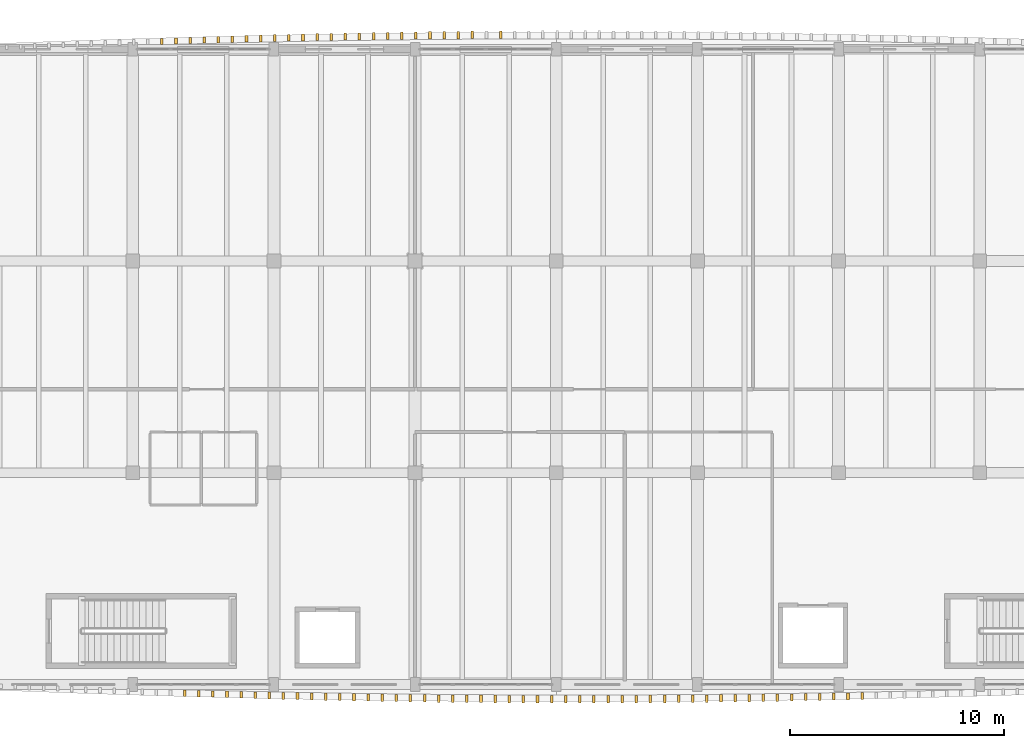
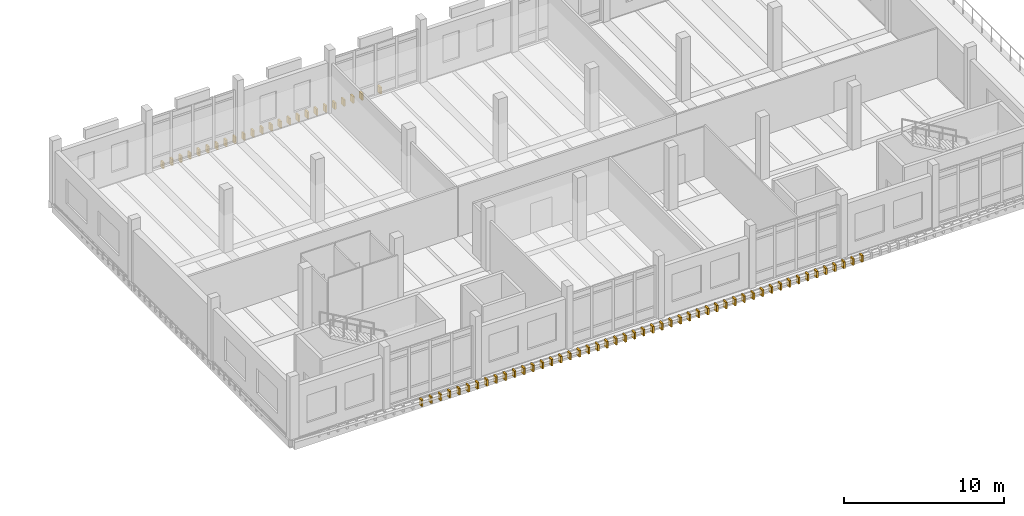
# One storey, part 38 of 39: 73 coverings.
"""IFC4 building model written with IfcOpenShell, lengths in metres."""

from ifc_helpers import new_model, si_unit, direction, frame, origin, origin_2d, place, context, subcontext, project, spatial, rectangle, extrude, material, layer, layer_set, type_object, element, save


model = new_model("IFC4")

# Units and contexts
model_context = context("Model", 3, precision=1e-05, world=origin(), true_north=direction((0.0, 1.0)))
body_context = subcontext(model_context, "Body", "Model", "MODEL_VIEW")
ifc_project = project(units=[si_unit("LENGTHUNIT", "METRE"), si_unit("AREAUNIT", "SQUARE_METRE"), si_unit("VOLUMEUNIT", "CUBIC_METRE"), si_unit("PLANEANGLEUNIT", "RADIAN"), si_unit("MASSUNIT", "GRAM", prefix="KILO")], contexts=[model_context])

# Site, building, storey
site_placement = place(None, origin())
site = spatial("IfcSite", under=ifc_project, at=site_placement, CompositionType="ELEMENT")
building_placement = place(site_placement, origin())
building = spatial("IfcBuilding", under=site, at=building_placement, Name="Dornvale Research Institute", CompositionType="ELEMENT")
storey_placement = place(building_placement, frame((0.0, 0.0, 24.60009765625)))
storey = spatial("IfcBuildingStorey", under=building, at=storey_placement, Name="L05", CompositionType="ELEMENT", Elevation=24.60009765625)

# Coverings
ifc_material = material(Name="Polychrome Glazed Terracotta Visor Rib Ceramic", Category="masonry")
ifc_layer = layer(ifc_material, 0.1201171875)
ifc_layer_set = layer_set([ifc_layer], Name="Polychrome Glazed Terracotta Visor Rib Ceramic")
covering_type = type_object("IfcCoveringType", Name="Covering_VisorBlade_Low", PredefinedType="CLADDING", material=ifc_layer_set)
covering_1_placement = place(storey_placement, frame((127.82470703125, 91.992919921875, -0.489990234375), z_axis=(0.0, 0.0, 1.0), x_axis=(0.0, 1.0, 0.0)))
element("IfcCovering", 1, at=covering_1_placement, inside=storey, type_object=covering_type, Name="L05 V4 canted glazed terracotta visor blade #2824", PredefinedType="CLADDING", context=body_context, shape_type="SweptSolid", body=[
    extrude(rectangle(XDim=0.2880859375, YDim=0.1201171875, at=origin_2d()), origin(), (0.0, 0.0, 1.0), 0.5),
])
covering_2_placement = place(storey_placement, frame((128.484619140625, 91.97265625, -0.489990234375), z_axis=(0.0, 0.0, 1.0), x_axis=(0.0, 1.0, 0.0)))
element("IfcCovering", 2, at=covering_2_placement, inside=storey, type_object=covering_type, Name="L05 V4 canted glazed terracotta visor blade #2825", PredefinedType="CLADDING", context=body_context, shape_type="SweptSolid", body=[
    extrude(rectangle(XDim=0.29296875, YDim=0.1201171875, at=origin_2d()), origin(), (0.0, 0.0, 1.0), 0.5),
])
covering_3_placement = place(storey_placement, frame((129.144287109375, 91.95361328125, -0.489990234375), z_axis=(0.0, 0.0, 1.0), x_axis=(0.0, 1.0, 0.0)))
element("IfcCovering", 3, at=covering_3_placement, inside=storey, type_object=covering_type, Name="L05 V4 canted glazed terracotta visor blade #2826", PredefinedType="CLADDING", context=body_context, shape_type="SweptSolid", body=[
    extrude(rectangle(XDim=0.298095703125, YDim=0.1201171875, at=origin_2d()), origin(), (0.0, 0.0, 1.0), 0.5),
])
covering_4_placement = place(storey_placement, frame((129.80419921875, 91.934814453125, -0.489990234375), z_axis=(0.0, 0.0, 1.0), x_axis=(0.0, 1.0, 0.0)))
element("IfcCovering", 4, at=covering_4_placement, inside=storey, type_object=covering_type, Name="L05 V4 canted glazed terracotta visor blade #2827", PredefinedType="CLADDING", context=body_context, shape_type="SweptSolid", body=[
    extrude(rectangle(XDim=0.302978515625, YDim=0.1201171875, at=origin_2d()), origin(), (0.0, 0.0, 1.0), 0.5),
])
covering_5_placement = place(storey_placement, frame((130.464111328125, 91.91650390625, -0.489990234375), z_axis=(0.0, 0.0, 1.0), x_axis=(0.0, 1.0, 0.0)))
element("IfcCovering", 5, at=covering_5_placement, inside=storey, type_object=covering_type, Name="L05 V4 canted glazed terracotta visor blade #2828", PredefinedType="CLADDING", context=body_context, shape_type="SweptSolid", body=[
    extrude(rectangle(XDim=0.30810546875, YDim=0.1201171875, at=origin_2d()), origin(), (0.0, 0.0, 1.0), 0.5),
])
covering_6_placement = place(storey_placement, frame((131.123779296875, 91.89990234375, -0.489990234375), z_axis=(0.0, 0.0, 1.0), x_axis=(0.0, 1.0, 0.0)))
element("IfcCovering", 6, at=covering_6_placement, inside=storey, type_object=covering_type, Name="L05 V4 canted glazed terracotta visor blade #2829", PredefinedType="CLADDING", context=body_context, shape_type="SweptSolid", body=[
    extrude(rectangle(XDim=0.31201171875, YDim=0.1201171875, at=origin_2d()), origin(), (0.0, 0.0, 1.0), 0.5),
])
covering_7_placement = place(storey_placement, frame((131.78369140625, 91.883544921875, -0.489990234375), z_axis=(0.0, 0.0, 1.0), x_axis=(0.0, 1.0, 0.0)))
element("IfcCovering", 7, at=covering_7_placement, inside=storey, type_object=covering_type, Name="L05 V4 canted glazed terracotta visor blade #2830", PredefinedType="CLADDING", context=body_context, shape_type="SweptSolid", body=[
    extrude(rectangle(XDim=0.31591796875, YDim=0.1201171875, at=origin_2d()), origin(), (0.0, 0.0, 1.0), 0.5),
])
covering_8_placement = place(storey_placement, frame((132.443603515625, 91.867919921875, -0.489990234375), z_axis=(0.0, 0.0, 1.0), x_axis=(0.0, 1.0, 0.0)))
element("IfcCovering", 8, at=covering_8_placement, inside=storey, type_object=covering_type, Name="L05 V4 canted glazed terracotta visor blade #2831", PredefinedType="CLADDING", context=body_context, shape_type="SweptSolid", body=[
    extrude(rectangle(XDim=0.320068359375, YDim=0.1201171875, at=origin_2d()), origin(), (0.0, 0.0, 1.0), 0.5),
])
covering_9_placement = place(storey_placement, frame((133.103515625, 91.85302734375, -0.489990234375), z_axis=(0.0, 0.0, 1.0), x_axis=(0.0, 1.0, 0.0)))
element("IfcCovering", 9, at=covering_9_placement, inside=storey, type_object=covering_type, Name="L05 V4 canted glazed terracotta visor blade #2832", PredefinedType="CLADDING", context=body_context, shape_type="SweptSolid", body=[
    extrude(rectangle(XDim=0.323974609375, YDim=0.1201171875, at=origin_2d()), origin(), (0.0, 0.0, 1.0), 0.5),
])
covering_10_placement = place(storey_placement, frame((133.76318359375, 91.8388671875, -0.489990234375), z_axis=(0.0, 0.0, 1.0), x_axis=(0.0, 1.0, 0.0)))
element("IfcCovering", 10, at=covering_10_placement, inside=storey, type_object=covering_type, Name="L05 V4 canted glazed terracotta visor blade #2833", PredefinedType="CLADDING", context=body_context, shape_type="SweptSolid", body=[
    extrude(rectangle(XDim=0.326904296875, YDim=0.1201171875, at=origin_2d()), origin(), (0.0, 0.0, 1.0), 0.5),
])
covering_11_placement = place(storey_placement, frame((134.423095703125, 91.82568359375, -0.489990234375), z_axis=(0.0, 0.0, 1.0), x_axis=(0.0, 1.0, 0.0)))
element("IfcCovering", 11, at=covering_11_placement, inside=storey, type_object=covering_type, Name="L05 V4 canted glazed terracotta visor blade #2834", PredefinedType="CLADDING", context=body_context, shape_type="SweptSolid", body=[
    extrude(rectangle(XDim=0.3310546875, YDim=0.1201171875, at=origin_2d()), origin(), (0.0, 0.0, 1.0), 0.5),
])
covering_12_placement = place(storey_placement, frame((135.0830078125, 91.81298828125, -0.489990234375), z_axis=(0.0, 0.0, 1.0), x_axis=(0.0, 1.0, 0.0)))
element("IfcCovering", 12, at=covering_12_placement, inside=storey, type_object=covering_type, Name="L05 V4 canted glazed terracotta visor blade #2835", PredefinedType="CLADDING", context=body_context, shape_type="SweptSolid", body=[
    extrude(rectangle(XDim=0.333984375, YDim=0.1201171875, at=origin_2d()), origin(), (0.0, 0.0, 1.0), 0.5),
])
covering_13_placement = place(storey_placement, frame((135.742919921875, 91.801025390625, -0.489990234375), z_axis=(0.0, 0.0, 1.0), x_axis=(0.0, 1.0, 0.0)))
element("IfcCovering", 13, at=covering_13_placement, inside=storey, type_object=covering_type, Name="L05 V4 canted glazed terracotta visor blade #2836", PredefinedType="CLADDING", context=body_context, shape_type="SweptSolid", body=[
    extrude(rectangle(XDim=0.3369140625, YDim=0.1201171875, at=origin_2d()), origin(), (0.0, 0.0, 1.0), 0.5),
])
covering_14_placement = place(storey_placement, frame((136.403076171875, 91.789794921875, -0.489990234375), z_axis=(0.0, 0.0, 1.0), x_axis=(0.0, 1.0, 0.0)))
element("IfcCovering", 14, at=covering_14_placement, inside=storey, type_object=covering_type, Name="L05 V4 canted glazed terracotta visor blade #2837", PredefinedType="CLADDING", context=body_context, shape_type="SweptSolid", body=[
    extrude(rectangle(XDim=0.340087890625, YDim=0.1201171875, at=origin_2d()), origin(), (0.0, 0.0, 1.0), 0.5),
])
covering_15_placement = place(storey_placement, frame((137.06298828125, 91.779296875, -0.489990234375), z_axis=(0.0, 0.0, 1.0), x_axis=(0.0, 1.0, 0.0)))
element("IfcCovering", 15, at=covering_15_placement, inside=storey, type_object=covering_type, Name="L05 V4 canted glazed terracotta visor blade #2838", PredefinedType="CLADDING", context=body_context, shape_type="SweptSolid", body=[
    extrude(rectangle(XDim=0.342041015625, YDim=0.1201171875, at=origin_2d()), origin(), (0.0, 0.0, 1.0), 0.5),
])
covering_16_placement = place(storey_placement, frame((137.722900390625, 91.769775390625, -0.489990234375), z_axis=(0.0, 0.0, 1.0), x_axis=(0.0, 1.0, 0.0)))
element("IfcCovering", 16, at=covering_16_placement, inside=storey, type_object=covering_type, Name="L05 V4 canted glazed terracotta visor blade #2839", PredefinedType="CLADDING", context=body_context, shape_type="SweptSolid", body=[
    extrude(rectangle(XDim=0.344970703125, YDim=0.1201171875, at=origin_2d()), origin(), (0.0, 0.0, 1.0), 0.5),
])
covering_17_placement = place(storey_placement, frame((138.3828125, 91.7607421875, -0.489990234375), z_axis=(0.0, 0.0, 1.0), x_axis=(0.0, 1.0, 0.0)))
element("IfcCovering", 17, at=covering_17_placement, inside=storey, type_object=covering_type, Name="L05 V4 canted glazed terracotta visor blade #2840", PredefinedType="CLADDING", context=body_context, shape_type="SweptSolid", body=[
    extrude(rectangle(XDim=0.346923828125, YDim=0.1201171875, at=origin_2d()), origin(), (0.0, 0.0, 1.0), 0.5),
])
covering_18_placement = place(storey_placement, frame((139.042724609375, 91.752685546875, -0.489990234375), z_axis=(0.0, 0.0, 1.0), x_axis=(0.0, 1.0, 0.0)))
element("IfcCovering", 18, at=covering_18_placement, inside=storey, type_object=covering_type, Name="L05 V4 canted glazed terracotta visor blade #2841", PredefinedType="CLADDING", context=body_context, shape_type="SweptSolid", body=[
    extrude(rectangle(XDim=0.34912109375, YDim=0.1201171875, at=origin_2d()), origin(), (0.0, 0.0, 1.0), 0.5),
])
covering_19_placement = place(storey_placement, frame((139.70263671875, 91.7451171875, -0.489990234375), z_axis=(0.0, 0.0, 1.0), x_axis=(0.0, 1.0, 0.0)))
element("IfcCovering", 19, at=covering_19_placement, inside=storey, type_object=covering_type, Name="L05 V4 canted glazed terracotta visor blade #2842", PredefinedType="CLADDING", context=body_context, shape_type="SweptSolid", body=[
    extrude(rectangle(XDim=0.35107421875, YDim=0.1201171875, at=origin_2d()), origin(), (0.0, 0.0, 1.0), 0.5),
])
covering_20_placement = place(storey_placement, frame((140.36279296875, 91.73779296875, -0.489990234375), z_axis=(0.0, 0.0, 1.0), x_axis=(0.0, 1.0, 0.0)))
element("IfcCovering", 20, at=covering_20_placement, inside=storey, type_object=covering_type, Name="L05 V4 canted glazed terracotta visor blade #2843", PredefinedType="CLADDING", context=body_context, shape_type="SweptSolid", body=[
    extrude(rectangle(XDim=0.35302734375, YDim=0.1201171875, at=origin_2d()), origin(), (0.0, 0.0, 1.0), 0.5),
])
covering_21_placement = place(storey_placement, frame((141.022705078125, 91.732421875, -0.489990234375), z_axis=(0.0, 0.0, 1.0), x_axis=(0.0, 1.0, 0.0)))
element("IfcCovering", 21, at=covering_21_placement, inside=storey, type_object=covering_type, Name="L05 V4 canted glazed terracotta visor blade #2844", PredefinedType="CLADDING", context=body_context, shape_type="SweptSolid", body=[
    extrude(rectangle(XDim=0.35400390625, YDim=0.1201171875, at=origin_2d()), origin(), (0.0, 0.0, 1.0), 0.5),
])
covering_22_placement = place(storey_placement, frame((141.6826171875, 91.726806640625, -0.489990234375), z_axis=(0.0, 0.0, 1.0), x_axis=(0.0, 1.0, 0.0)))
element("IfcCovering", 22, at=covering_22_placement, inside=storey, type_object=covering_type, Name="L05 V4 canted glazed terracotta visor blade #2845", PredefinedType="CLADDING", context=body_context, shape_type="SweptSolid", body=[
    extrude(rectangle(XDim=0.35595703125, YDim=0.1201171875, at=origin_2d()), origin(), (0.0, 0.0, 1.0), 0.5),
])
covering_23_placement = place(storey_placement, frame((142.342529296875, 91.72216796875, -0.489990234375), z_axis=(0.0, 0.0, 1.0), x_axis=(0.0, 1.0, 0.0)))
element("IfcCovering", 23, at=covering_23_placement, inside=storey, type_object=covering_type, Name="L05 V4 canted glazed terracotta visor blade #2846", PredefinedType="CLADDING", context=body_context, shape_type="SweptSolid", body=[
    extrude(rectangle(XDim=0.35693359375, YDim=0.1201171875, at=origin_2d()), origin(), (0.0, 0.0, 1.0), 0.5),
])
covering_24_placement = place(storey_placement, frame((143.002685546875, 91.718505859375, -0.489990234375), z_axis=(0.0, 0.0, 1.0), x_axis=(0.0, 1.0, 0.0)))
element("IfcCovering", 24, at=covering_24_placement, inside=storey, type_object=covering_type, Name="L05 V4 canted glazed terracotta visor blade #2847", PredefinedType="CLADDING", context=body_context, shape_type="SweptSolid", body=[
    extrude(rectangle(XDim=0.35791015625, YDim=0.1201171875, at=origin_2d()), origin(), (0.0, 0.0, 1.0), 0.5),
])
for number, where, z_axis, x_axis, name in (
    (25, (143.66259765625, 91.71484375, -0.489990234375), (0.0, 0.0, 1.0), (0.0, 1.0, 0.0), "L05 V4 canted glazed terracotta visor blade #2848"),
    (26, (144.322509765625, 91.71337890625, -0.489990234375), (0.0, 0.0, 1.0), (0.0, 1.0, 0.0), "L05 V4 canted glazed terracotta visor blade #2849"),
):
    element("IfcCovering", number, at=place(storey_placement, frame(where, z_axis=z_axis, x_axis=x_axis)), inside=storey, type_object=covering_type, Name=name, PredefinedType="CLADDING", context=body_context, shape_type="SweptSolid", body=[
        extrude(rectangle(XDim=0.35888671875, YDim=0.1201171875, at=origin_2d()), origin(), (0.0, 0.0, 1.0), 0.5),
    ])
for number, where, z_axis, x_axis, name in (
    (27, (144.982666015625, 91.711181640625, -0.489990234375), (0.0, 0.0, 1.0), (0.0, 1.0, 0.0), "L05 V4 canted glazed terracotta visor blade #2850"),
    (28, (145.642578125, 91.71044921875, -0.489990234375), (0.0, 0.0, 1.0), (0.0, 1.0, 0.0), "L05 V4 canted glazed terracotta visor blade #2851"),
    (29, (146.302490234375, 91.71044921875, -0.489990234375), (0.0, 0.0, 1.0), (0.0, 1.0, 0.0), "L05 V4 canted glazed terracotta visor blade #2852"),
    (30, (146.962646484375, 91.710693359375, -0.489990234375), (0.0, 0.0, 1.0), (0.0, 1.0, 0.0), "L05 V4 canted glazed terracotta visor blade #2853"),
    (31, (147.62255859375, 91.712158203125, -0.489990234375), (0.0, 0.0, 1.0), (0.0, 1.0, 0.0), "L05 V4 canted glazed terracotta visor blade #2854"),
):
    element("IfcCovering", number, at=place(storey_placement, frame(where, z_axis=z_axis, x_axis=x_axis)), inside=storey, type_object=covering_type, Name=name, PredefinedType="CLADDING", context=body_context, shape_type="SweptSolid", body=[
        extrude(rectangle(XDim=0.360107421875, YDim=0.1201171875, at=origin_2d()), origin(), (0.0, 0.0, 1.0), 0.5),
    ])
covering_25_placement = place(storey_placement, frame((148.28271484375, 91.71435546875, -0.489990234375), z_axis=(0.0, 0.0, 1.0), x_axis=(0.0, 1.0, 0.0)))
element("IfcCovering", 32, at=covering_25_placement, inside=storey, type_object=covering_type, Name="L05 V4 canted glazed terracotta visor blade #2855", PredefinedType="CLADDING", context=body_context, shape_type="SweptSolid", body=[
    extrude(rectangle(XDim=0.35888671875, YDim=0.1201171875, at=origin_2d()), origin(), (0.0, 0.0, 1.0), 0.5),
])
covering_26_placement = place(storey_placement, frame((148.942626953125, 91.71728515625, -0.489990234375), z_axis=(0.0, 0.0, 1.0), x_axis=(0.0, 1.0, 0.0)))
element("IfcCovering", 33, at=covering_26_placement, inside=storey, type_object=covering_type, Name="L05 V4 canted glazed terracotta visor blade #2856", PredefinedType="CLADDING", context=body_context, shape_type="SweptSolid", body=[
    extrude(rectangle(XDim=0.35791015625, YDim=0.1201171875, at=origin_2d()), origin(), (0.0, 0.0, 1.0), 0.5),
])
covering_27_placement = place(storey_placement, frame((149.6025390625, 91.720947265625, -0.489990234375), z_axis=(0.0, 0.0, 1.0), x_axis=(0.0, 1.0, 0.0)))
element("IfcCovering", 34, at=covering_27_placement, inside=storey, type_object=covering_type, Name="L05 V4 canted glazed terracotta visor blade #2857", PredefinedType="CLADDING", context=body_context, shape_type="SweptSolid", body=[
    extrude(rectangle(XDim=0.35693359375, YDim=0.1201171875, at=origin_2d()), origin(), (0.0, 0.0, 1.0), 0.5),
])
covering_28_placement = place(storey_placement, frame((150.2626953125, 91.724853515625, -0.489990234375), z_axis=(0.0, 0.0, 1.0), x_axis=(0.0, 1.0, 0.0)))
element("IfcCovering", 35, at=covering_28_placement, inside=storey, type_object=covering_type, Name="L05 V4 canted glazed terracotta visor blade #2858", PredefinedType="CLADDING", context=body_context, shape_type="SweptSolid", body=[
    extrude(rectangle(XDim=0.35595703125, YDim=0.1201171875, at=origin_2d()), origin(), (0.0, 0.0, 1.0), 0.5),
])
covering_29_placement = place(storey_placement, frame((150.922607421875, 91.72998046875, -0.489990234375), z_axis=(0.0, 0.0, 1.0), x_axis=(0.0, 1.0, 0.0)))
element("IfcCovering", 36, at=covering_29_placement, inside=storey, type_object=covering_type, Name="L05 V4 canted glazed terracotta visor blade #2859", PredefinedType="CLADDING", context=body_context, shape_type="SweptSolid", body=[
    extrude(rectangle(XDim=0.35498046875, YDim=0.1201171875, at=origin_2d()), origin(), (0.0, 0.0, 1.0), 0.5),
])
covering_30_placement = place(storey_placement, frame((151.58251953125, 91.7353515625, -0.489990234375), z_axis=(0.0, 0.0, 1.0), x_axis=(0.0, 1.0, 0.0)))
element("IfcCovering", 37, at=covering_30_placement, inside=storey, type_object=covering_type, Name="L05 V4 canted glazed terracotta visor blade #2860", PredefinedType="CLADDING", context=body_context, shape_type="SweptSolid", body=[
    extrude(rectangle(XDim=0.35400390625, YDim=0.1201171875, at=origin_2d()), origin(), (0.0, 0.0, 1.0), 0.5),
])
covering_31_placement = place(storey_placement, frame((152.242431640625, 91.7421875, -0.489990234375), z_axis=(0.0, 0.0, 1.0), x_axis=(0.0, 1.0, 0.0)))
element("IfcCovering", 38, at=covering_31_placement, inside=storey, type_object=covering_type, Name="L05 V4 canted glazed terracotta visor blade #2861", PredefinedType="CLADDING", context=body_context, shape_type="SweptSolid", body=[
    extrude(rectangle(XDim=0.35205078125, YDim=0.1201171875, at=origin_2d()), origin(), (0.0, 0.0, 1.0), 0.5),
])
covering_32_placement = place(storey_placement, frame((152.902587890625, 91.74951171875, -0.489990234375), z_axis=(0.0, 0.0, 1.0), x_axis=(0.0, 1.0, 0.0)))
element("IfcCovering", 39, at=covering_32_placement, inside=storey, type_object=covering_type, Name="L05 V4 canted glazed terracotta visor blade #2862", PredefinedType="CLADDING", context=body_context, shape_type="SweptSolid", body=[
    extrude(rectangle(XDim=0.35009765625, YDim=0.1201171875, at=origin_2d()), origin(), (0.0, 0.0, 1.0), 0.5),
])
covering_33_placement = place(storey_placement, frame((153.5625, 91.757080078125, -0.489990234375), z_axis=(0.0, 0.0, 1.0), x_axis=(0.0, 1.0, 0.0)))
element("IfcCovering", 40, at=covering_33_placement, inside=storey, type_object=covering_type, Name="L05 V4 canted glazed terracotta visor blade #2863", PredefinedType="CLADDING", context=body_context, shape_type="SweptSolid", body=[
    extrude(rectangle(XDim=0.347900390625, YDim=0.1201171875, at=origin_2d()), origin(), (0.0, 0.0, 1.0), 0.5),
])
covering_34_placement = place(storey_placement, frame((154.222412109375, 91.76611328125, -0.489990234375), z_axis=(0.0, 0.0, 1.0), x_axis=(0.0, 1.0, 0.0)))
element("IfcCovering", 41, at=covering_34_placement, inside=storey, type_object=covering_type, Name="L05 V4 canted glazed terracotta visor blade #2864", PredefinedType="CLADDING", context=body_context, shape_type="SweptSolid", body=[
    extrude(rectangle(XDim=0.345947265625, YDim=0.1201171875, at=origin_2d()), origin(), (0.0, 0.0, 1.0), 0.5),
])
covering_35_placement = place(storey_placement, frame((154.88232421875, 91.775634765625, -0.489990234375), z_axis=(0.0, 0.0, 1.0), x_axis=(0.0, 1.0, 0.0)))
element("IfcCovering", 42, at=covering_35_placement, inside=storey, type_object=covering_type, Name="L05 V4 canted glazed terracotta visor blade #2865", PredefinedType="CLADDING", context=body_context, shape_type="SweptSolid", body=[
    extrude(rectangle(XDim=0.343017578125, YDim=0.1201171875, at=origin_2d()), origin(), (0.0, 0.0, 1.0), 0.5),
])
covering_36_placement = place(storey_placement, frame((155.542236328125, 91.78564453125, -0.489990234375), z_axis=(0.0, 0.0, 1.0), x_axis=(0.0, 1.0, 0.0)))
element("IfcCovering", 43, at=covering_36_placement, inside=storey, type_object=covering_type, Name="L05 V4 canted glazed terracotta visor blade #2866", PredefinedType="CLADDING", context=body_context, shape_type="SweptSolid", body=[
    extrude(rectangle(XDim=0.341064453125, YDim=0.1201171875, at=origin_2d()), origin(), (0.0, 0.0, 1.0), 0.5),
])
covering_37_placement = place(storey_placement, frame((156.2021484375, 91.796875, -0.489990234375), z_axis=(0.0, 0.0, 1.0), x_axis=(0.0, 1.0, 0.0)))
element("IfcCovering", 44, at=covering_37_placement, inside=storey, type_object=covering_type, Name="L05 V4 canted glazed terracotta visor blade #2867", PredefinedType="CLADDING", context=body_context, shape_type="SweptSolid", body=[
    extrude(rectangle(XDim=0.337890625, YDim=0.1201171875, at=origin_2d()), origin(), (0.0, 0.0, 1.0), 0.5),
])
covering_38_placement = place(storey_placement, frame((156.8623046875, 91.80810546875, -0.489990234375), z_axis=(0.0, 0.0, 1.0), x_axis=(0.0, 1.0, 0.0)))
element("IfcCovering", 45, at=covering_38_placement, inside=storey, type_object=covering_type, Name="L05 V4 canted glazed terracotta visor blade #2868", PredefinedType="CLADDING", context=body_context, shape_type="SweptSolid", body=[
    extrude(rectangle(XDim=0.3349609375, YDim=0.1201171875, at=origin_2d()), origin(), (0.0, 0.0, 1.0), 0.5),
])
covering_39_placement = place(storey_placement, frame((157.522216796875, 91.82080078125, -0.489990234375), z_axis=(0.0, 0.0, 1.0), x_axis=(0.0, 1.0, 0.0)))
element("IfcCovering", 46, at=covering_39_placement, inside=storey, type_object=covering_type, Name="L05 V4 canted glazed terracotta visor blade #2869", PredefinedType="CLADDING", context=body_context, shape_type="SweptSolid", body=[
    extrude(rectangle(XDim=0.33203125, YDim=0.1201171875, at=origin_2d()), origin(), (0.0, 0.0, 1.0), 0.5),
])
covering_40_placement = place(storey_placement, frame((158.181884765625, 91.83349609375, -0.489990234375), z_axis=(0.0, 0.0, 1.0), x_axis=(0.0, 1.0, 0.0)))
element("IfcCovering", 47, at=covering_40_placement, inside=storey, type_object=covering_type, Name="L05 V4 canted glazed terracotta visor blade #2870", PredefinedType="CLADDING", context=body_context, shape_type="SweptSolid", body=[
    extrude(rectangle(XDim=0.3291015625, YDim=0.1201171875, at=origin_2d()), origin(), (0.0, 0.0, 1.0), 0.5),
])
covering_41_placement = place(storey_placement, frame((158.841796875, 91.84765625, -0.489990234375), z_axis=(0.0, 0.0, 1.0), x_axis=(0.0, 1.0, 0.0)))
element("IfcCovering", 48, at=covering_41_placement, inside=storey, type_object=covering_type, Name="L05 V4 canted glazed terracotta visor blade #2871", PredefinedType="CLADDING", context=body_context, shape_type="SweptSolid", body=[
    extrude(rectangle(XDim=0.324951171875, YDim=0.1201171875, at=origin_2d()), origin(), (0.0, 0.0, 1.0), 0.5),
])
covering_42_placement = place(storey_placement, frame((159.501708984375, 91.862548828125, -0.489990234375), z_axis=(0.0, 0.0, 1.0), x_axis=(0.0, 1.0, 0.0)))
element("IfcCovering", 49, at=covering_42_placement, inside=storey, type_object=covering_type, Name="L05 V4 canted glazed terracotta visor blade #2872", PredefinedType="CLADDING", context=body_context, shape_type="SweptSolid", body=[
    extrude(rectangle(XDim=0.321044921875, YDim=0.1201171875, at=origin_2d()), origin(), (0.0, 0.0, 1.0), 0.5),
])
covering_43_placement = place(storey_placement, frame((142.597412109375, 122.779052734375, -0.489990234375), z_axis=(0.0, 0.0, 1.0), x_axis=(0.0, 1.0, 0.0)))
element("IfcCovering", 50, at=covering_43_placement, inside=storey, type_object=covering_type, Name="L05 V4 canted glazed terracotta visor blade #2939", PredefinedType="CLADDING", context=body_context, shape_type="SweptSolid", body=[
    extrude(rectangle(XDim=0.35693359375, YDim=0.1201171875, at=origin_2d()), origin(), (0.0, 0.0, 1.0), 0.5),
])
covering_44_placement = place(storey_placement, frame((141.27734375, 122.77001953125, -0.489990234375), z_axis=(0.0, 0.0, 1.0), x_axis=(0.0, 1.0, 0.0)))
element("IfcCovering", 51, at=covering_44_placement, inside=storey, type_object=covering_type, Name="L05 V4 canted glazed terracotta visor blade #2941", PredefinedType="CLADDING", context=body_context, shape_type="SweptSolid", body=[
    extrude(rectangle(XDim=0.35498046875, YDim=0.1201171875, at=origin_2d()), origin(), (0.0, 0.0, 1.0), 0.5),
])
covering_45_placement = place(storey_placement, frame((140.617431640625, 122.7646484375, -0.489990234375), z_axis=(0.0, 0.0, 1.0), x_axis=(0.0, 1.0, 0.0)))
element("IfcCovering", 52, at=covering_45_placement, inside=storey, type_object=covering_type, Name="L05 V4 canted glazed terracotta visor blade #2942", PredefinedType="CLADDING", context=body_context, shape_type="SweptSolid", body=[
    extrude(rectangle(XDim=0.35400390625, YDim=0.1201171875, at=origin_2d()), origin(), (0.0, 0.0, 1.0), 0.5),
])
covering_46_placement = place(storey_placement, frame((139.95751953125, 122.7578125, -0.489990234375), z_axis=(0.0, 0.0, 1.0), x_axis=(0.0, 1.0, 0.0)))
element("IfcCovering", 53, at=covering_46_placement, inside=storey, type_object=covering_type, Name="L05 V4 canted glazed terracotta visor blade #2943", PredefinedType="CLADDING", context=body_context, shape_type="SweptSolid", body=[
    extrude(rectangle(XDim=0.35205078125, YDim=0.1201171875, at=origin_2d()), origin(), (0.0, 0.0, 1.0), 0.5),
])
covering_47_placement = place(storey_placement, frame((139.297607421875, 122.75048828125, -0.489990234375), z_axis=(0.0, 0.0, 1.0), x_axis=(0.0, 1.0, 0.0)))
element("IfcCovering", 54, at=covering_47_placement, inside=storey, type_object=covering_type, Name="L05 V4 canted glazed terracotta visor blade #2944", PredefinedType="CLADDING", context=body_context, shape_type="SweptSolid", body=[
    extrude(rectangle(XDim=0.35009765625, YDim=0.1201171875, at=origin_2d()), origin(), (0.0, 0.0, 1.0), 0.5),
])
covering_48_placement = place(storey_placement, frame((138.637451171875, 122.742919921875, -0.489990234375), z_axis=(0.0, 0.0, 1.0), x_axis=(0.0, 1.0, 0.0)))
element("IfcCovering", 55, at=covering_48_placement, inside=storey, type_object=covering_type, Name="L05 V4 canted glazed terracotta visor blade #2945", PredefinedType="CLADDING", context=body_context, shape_type="SweptSolid", body=[
    extrude(rectangle(XDim=0.347900390625, YDim=0.1201171875, at=origin_2d()), origin(), (0.0, 0.0, 1.0), 0.5),
])
covering_49_placement = place(storey_placement, frame((137.9775390625, 122.73388671875, -0.489990234375), z_axis=(0.0, 0.0, 1.0), x_axis=(0.0, 1.0, 0.0)))
element("IfcCovering", 56, at=covering_49_placement, inside=storey, type_object=covering_type, Name="L05 V4 canted glazed terracotta visor blade #2946", PredefinedType="CLADDING", context=body_context, shape_type="SweptSolid", body=[
    extrude(rectangle(XDim=0.345947265625, YDim=0.1201171875, at=origin_2d()), origin(), (0.0, 0.0, 1.0), 0.5),
])
covering_50_placement = place(storey_placement, frame((137.317626953125, 122.724365234375, -0.489990234375), z_axis=(0.0, 0.0, 1.0), x_axis=(0.0, 1.0, 0.0)))
element("IfcCovering", 57, at=covering_50_placement, inside=storey, type_object=covering_type, Name="L05 V4 canted glazed terracotta visor blade #2947", PredefinedType="CLADDING", context=body_context, shape_type="SweptSolid", body=[
    extrude(rectangle(XDim=0.343017578125, YDim=0.1201171875, at=origin_2d()), origin(), (0.0, 0.0, 1.0), 0.5),
])
covering_51_placement = place(storey_placement, frame((136.65771484375, 122.71435546875, -0.489990234375), z_axis=(0.0, 0.0, 1.0), x_axis=(0.0, 1.0, 0.0)))
element("IfcCovering", 58, at=covering_51_placement, inside=storey, type_object=covering_type, Name="L05 V4 canted glazed terracotta visor blade #2948", PredefinedType="CLADDING", context=body_context, shape_type="SweptSolid", body=[
    extrude(rectangle(XDim=0.341064453125, YDim=0.1201171875, at=origin_2d()), origin(), (0.0, 0.0, 1.0), 0.5),
])
covering_52_placement = place(storey_placement, frame((135.997802734375, 122.703125, -0.489990234375), z_axis=(0.0, 0.0, 1.0), x_axis=(0.0, 1.0, 0.0)))
element("IfcCovering", 59, at=covering_52_placement, inside=storey, type_object=covering_type, Name="L05 V4 canted glazed terracotta visor blade #2949", PredefinedType="CLADDING", context=body_context, shape_type="SweptSolid", body=[
    extrude(rectangle(XDim=0.337890625, YDim=0.1201171875, at=origin_2d()), origin(), (0.0, 0.0, 1.0), 0.5),
])
covering_53_placement = place(storey_placement, frame((135.337890625, 122.69189453125, -0.489990234375), z_axis=(0.0, 0.0, 1.0), x_axis=(0.0, 1.0, 0.0)))
element("IfcCovering", 60, at=covering_53_placement, inside=storey, type_object=covering_type, Name="L05 V4 canted glazed terracotta visor blade #2950", PredefinedType="CLADDING", context=body_context, shape_type="SweptSolid", body=[
    extrude(rectangle(XDim=0.3349609375, YDim=0.1201171875, at=origin_2d()), origin(), (0.0, 0.0, 1.0), 0.5),
])
covering_54_placement = place(storey_placement, frame((134.677978515625, 122.67919921875, -0.489990234375), z_axis=(0.0, 0.0, 1.0), x_axis=(0.0, 1.0, 0.0)))
element("IfcCovering", 61, at=covering_54_placement, inside=storey, type_object=covering_type, Name="L05 V4 canted glazed terracotta visor blade #2951", PredefinedType="CLADDING", context=body_context, shape_type="SweptSolid", body=[
    extrude(rectangle(XDim=0.33203125, YDim=0.1201171875, at=origin_2d()), origin(), (0.0, 0.0, 1.0), 0.5),
])
covering_55_placement = place(storey_placement, frame((134.01806640625, 122.66650390625, -0.489990234375), z_axis=(0.0, 0.0, 1.0), x_axis=(0.0, 1.0, 0.0)))
element("IfcCovering", 62, at=covering_55_placement, inside=storey, type_object=covering_type, Name="L05 V4 canted glazed terracotta visor blade #2952", PredefinedType="CLADDING", context=body_context, shape_type="SweptSolid", body=[
    extrude(rectangle(XDim=0.3291015625, YDim=0.1201171875, at=origin_2d()), origin(), (0.0, 0.0, 1.0), 0.5),
])
covering_56_placement = place(storey_placement, frame((133.358154296875, 122.65234375, -0.489990234375), z_axis=(0.0, 0.0, 1.0), x_axis=(0.0, 1.0, 0.0)))
element("IfcCovering", 63, at=covering_56_placement, inside=storey, type_object=covering_type, Name="L05 V4 canted glazed terracotta visor blade #2953", PredefinedType="CLADDING", context=body_context, shape_type="SweptSolid", body=[
    extrude(rectangle(XDim=0.324951171875, YDim=0.1201171875, at=origin_2d()), origin(), (0.0, 0.0, 1.0), 0.5),
])
covering_57_placement = place(storey_placement, frame((132.6982421875, 122.637451171875, -0.489990234375), z_axis=(0.0, 0.0, 1.0), x_axis=(0.0, 1.0, 0.0)))
element("IfcCovering", 64, at=covering_57_placement, inside=storey, type_object=covering_type, Name="L05 V4 canted glazed terracotta visor blade #2954", PredefinedType="CLADDING", context=body_context, shape_type="SweptSolid", body=[
    extrude(rectangle(XDim=0.321044921875, YDim=0.1201171875, at=origin_2d()), origin(), (0.0, 0.0, 1.0), 0.5),
])
covering_58_placement = place(storey_placement, frame((132.038330078125, 122.623046875, -0.489990234375), z_axis=(0.0, 0.0, 1.0), x_axis=(0.0, 1.0, 0.0)))
element("IfcCovering", 65, at=covering_58_placement, inside=storey, type_object=covering_type, Name="L05 V4 canted glazed terracotta visor blade #2955", PredefinedType="CLADDING", context=body_context, shape_type="SweptSolid", body=[
    extrude(rectangle(XDim=0.318115234375, YDim=0.1201171875, at=origin_2d()), origin(), (0.0, 0.0, 1.0), 0.5),
])
covering_59_placement = place(storey_placement, frame((131.37841796875, 122.606201171875, -0.489990234375), z_axis=(0.0, 0.0, 1.0), x_axis=(0.0, 1.0, 0.0)))
element("IfcCovering", 66, at=covering_59_placement, inside=storey, type_object=covering_type, Name="L05 V4 canted glazed terracotta visor blade #2956", PredefinedType="CLADDING", context=body_context, shape_type="SweptSolid", body=[
    extrude(rectangle(XDim=0.31298828125, YDim=0.1201171875, at=origin_2d()), origin(), (0.0, 0.0, 1.0), 0.5),
])
covering_60_placement = place(storey_placement, frame((130.71875, 122.589599609375, -0.489990234375), z_axis=(0.0, 0.0, 1.0), x_axis=(0.0, 1.0, 0.0)))
element("IfcCovering", 67, at=covering_60_placement, inside=storey, type_object=covering_type, Name="L05 V4 canted glazed terracotta visor blade #2957", PredefinedType="CLADDING", context=body_context, shape_type="SweptSolid", body=[
    extrude(rectangle(XDim=0.30908203125, YDim=0.1201171875, at=origin_2d()), origin(), (0.0, 0.0, 1.0), 0.5),
])
covering_61_placement = place(storey_placement, frame((130.058837890625, 122.572265625, -0.489990234375), z_axis=(0.0, 0.0, 1.0), x_axis=(0.0, 1.0, 0.0)))
element("IfcCovering", 68, at=covering_61_placement, inside=storey, type_object=covering_type, Name="L05 V4 canted glazed terracotta visor blade #2958", PredefinedType="CLADDING", context=body_context, shape_type="SweptSolid", body=[
    extrude(rectangle(XDim=0.304931640625, YDim=0.1201171875, at=origin_2d()), origin(), (0.0, 0.0, 1.0), 0.5),
])
covering_62_placement = place(storey_placement, frame((129.399169921875, 122.5537109375, -0.489990234375), z_axis=(0.0, 0.0, 1.0), x_axis=(0.0, 1.0, 0.0)))
element("IfcCovering", 69, at=covering_62_placement, inside=storey, type_object=covering_type, Name="L05 V4 canted glazed terracotta visor blade #2959", PredefinedType="CLADDING", context=body_context, shape_type="SweptSolid", body=[
    extrude(rectangle(XDim=0.300048828125, YDim=0.1201171875, at=origin_2d()), origin(), (0.0, 0.0, 1.0), 0.5),
])
covering_63_placement = place(storey_placement, frame((128.7392578125, 122.53515625, -0.489990234375), z_axis=(0.0, 0.0, 1.0), x_axis=(0.0, 1.0, 0.0)))
element("IfcCovering", 70, at=covering_63_placement, inside=storey, type_object=covering_type, Name="L05 V4 canted glazed terracotta visor blade #2960", PredefinedType="CLADDING", context=body_context, shape_type="SweptSolid", body=[
    extrude(rectangle(XDim=0.294921875, YDim=0.1201171875, at=origin_2d()), origin(), (0.0, 0.0, 1.0), 0.5),
])
covering_64_placement = place(storey_placement, frame((128.07958984375, 122.514892578125, -0.489990234375), z_axis=(0.0, 0.0, 1.0), x_axis=(0.0, 1.0, 0.0)))
element("IfcCovering", 71, at=covering_64_placement, inside=storey, type_object=covering_type, Name="L05 V4 canted glazed terracotta visor blade #2961", PredefinedType="CLADDING", context=body_context, shape_type="SweptSolid", body=[
    extrude(rectangle(XDim=0.2900390625, YDim=0.1201171875, at=origin_2d()), origin(), (0.0, 0.0, 1.0), 0.5),
])
covering_65_placement = place(storey_placement, frame((127.419921875, 122.49462890625, -0.489990234375), z_axis=(0.0, 0.0, 1.0), x_axis=(0.0, 1.0, 0.0)))
element("IfcCovering", 72, at=covering_65_placement, inside=storey, type_object=covering_type, Name="L05 V4 canted glazed terracotta visor blade #2962", PredefinedType="CLADDING", context=body_context, shape_type="SweptSolid", body=[
    extrude(rectangle(XDim=0.284912109375, YDim=0.1201171875, at=origin_2d()), origin(), (0.0, 0.0, 1.0), 0.5),
])
covering_66_placement = place(storey_placement, frame((126.760009765625, 122.4736328125, -0.489990234375), z_axis=(0.0, 0.0, 1.0), x_axis=(0.0, 1.0, 0.0)))
element("IfcCovering", 73, at=covering_66_placement, inside=storey, type_object=covering_type, Name="L05 V4 canted glazed terracotta visor blade #2963", PredefinedType="CLADDING", context=body_context, shape_type="SweptSolid", body=[
    extrude(rectangle(XDim=0.280029296875, YDim=0.1201171875, at=origin_2d()), origin(), (0.0, 0.0, 1.0), 0.5),
])

save(model, "model.ifc")
